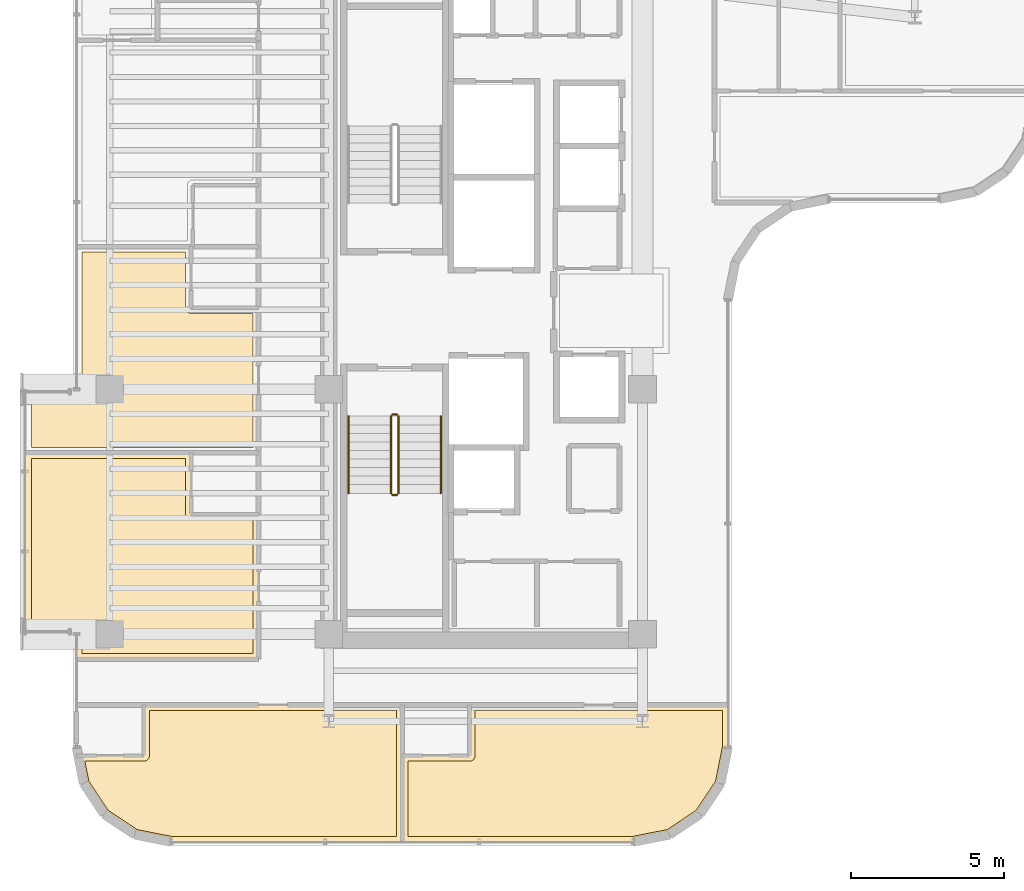
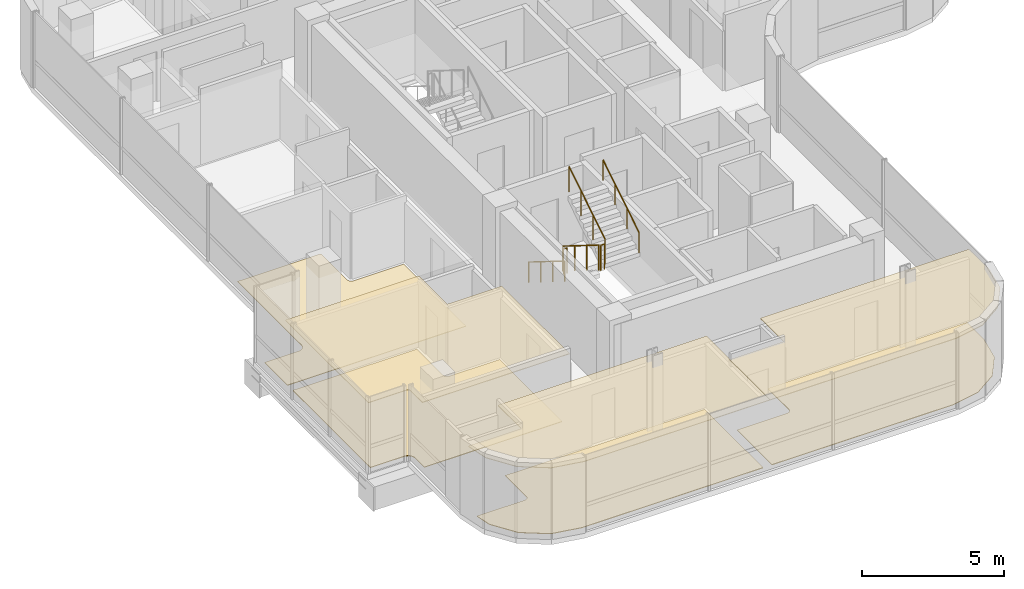
# One storey, part 22 of 24: 7 coverings, 6 railings.
"""IFC4 building model written with IfcOpenShell, lengths in metres."""

from ifc_helpers import new_model, si_unit, direction, frame, origin, origin_2d, place, context, subcontext, project, spatial, polyline, circle, outline, extrude, material, layer, layer_set, type_object, element, save


model = new_model("IFC4")

# Units and contexts
model_context = context("Model", 3, precision=1e-05, world=origin(), true_north=direction((0.0, 1.0)))
body_context = subcontext(model_context, "Body", "Model", "MODEL_VIEW")
ifc_project = project(units=[si_unit("LENGTHUNIT", "METRE"), si_unit("AREAUNIT", "SQUARE_METRE"), si_unit("VOLUMEUNIT", "CUBIC_METRE"), si_unit("PLANEANGLEUNIT", "RADIAN"), si_unit("MASSUNIT", "GRAM", prefix="KILO")], contexts=[model_context])

# Site, building, storey
site_placement = place(None, origin())
site = spatial("IfcSite", under=ifc_project, at=site_placement, CompositionType="ELEMENT")
building_placement = place(site_placement, origin())
building = spatial("IfcBuilding", under=site, at=building_placement, Name="Valdorenza Pilgrim Sanctuary Tower", CompositionType="ELEMENT")
storey_placement = place(building_placement, frame((0.0, 0.0, 230.0)))
storey = spatial("IfcBuildingStorey", under=building, at=storey_placement, Name="L59", CompositionType="ELEMENT", Elevation=230.0)

# Coverings
ifc_material_1 = material(Name="Micro-perforated acoustic mineral ceiling tile", Category="gypsum")
ifc_layer_1 = layer(ifc_material_1, 0.02490234375, Name="Micro-perforated acoustic mineral ceiling tile")
ifc_layer_set_1 = layer_set([ifc_layer_1], Name="Micro-perforated acoustic mineral ceiling tile")
covering_type_1 = type_object("IfcCoveringType", Name="COV-CLG-ACU", PredefinedType="CEILING", material=ifc_layer_set_1)
covering_1_placement = place(storey_placement, frame((0.0, 0.0, 2.9599609375)))
element("IfcCovering", 1, at=covering_1_placement, inside=storey, type_object=covering_type_1, Name="L59 Sanctuary Guest Room L59-W1 Acoustic Ceiling", PredefinedType="CEILING", context=body_context, shape_type="SweptSolid", body=[
    extrude(outline(polyline([(-30.905029296875, -10.600341796875), (-30.905517578125, -10.5908203125), (-30.90673828125, -10.58154296875), (-30.9091796875, -10.572509765625), (-30.912109375, -10.563720703125), (-30.916259765625, -10.55517578125), (-30.9208984375, -10.547119140625), (-30.926513671875, -10.539794921875), (-30.932861328125, -10.53271484375), (-30.939697265625, -10.526611328125), (-30.947265625, -10.52099609375), (-30.955078125, -10.51611328125), (-30.963623046875, -10.51220703125), (-30.972412109375, -10.509033203125), (-30.9814453125, -10.5068359375), (-30.99072265625, -10.505615234375), (-31.00048828125, -10.5048828125), (-32.5400390625, -10.5048828125), (-32.54150390625, -10.5048828125), (-32.54296875, -10.504638671875), (-32.54443359375, -10.50439453125), (-32.545654296875, -10.50390625), (-32.547119140625, -10.503173828125), (-32.54833984375, -10.50244140625), (-32.549560546875, -10.501708984375), (-32.550537109375, -10.50048828125), (-32.551513671875, -10.49951171875), (-32.552490234375, -10.498291015625), (-32.55322265625, -10.4970703125), (-32.553955078125, -10.49560546875), (-32.554443359375, -10.494384765625), (-32.5546875, -10.492919921875), (-32.554931640625, -10.491455078125), (-32.554931640625, -10.489990234375), (-32.554931640625, -4.679931640625), (-32.554931640625, -4.678466796875), (-32.5546875, -4.677001953125), (-32.554443359375, -4.675537109375), (-32.553955078125, -4.67431640625), (-32.55322265625, -4.6728515625), (-32.552490234375, -4.671630859375), (-32.551513671875, -4.67041015625), (-32.550537109375, -4.66943359375), (-32.549560546875, -4.66845703125), (-32.54833984375, -4.66748046875), (-32.547119140625, -4.666748046875), (-32.545654296875, -4.666015625), (-32.54443359375, -4.66552734375), (-32.54296875, -4.665283203125), (-32.54150390625, -4.6650390625), (-32.5400390625, -4.6650390625), (-27.152099609375, -4.6650390625), (-27.150390625, -4.6650390625), (-27.149169921875, -4.665283203125), (-27.147705078125, -4.66552734375), (-27.146240234375, -4.666015625), (-27.14501953125, -4.666748046875), (-27.143798828125, -4.66748046875), (-27.142578125, -4.66845703125), (-27.141357421875, -4.66943359375), (-27.140380859375, -4.67041015625), (-27.139404296875, -4.671630859375), (-27.138916015625, -4.6728515625), (-27.13818359375, -4.67431640625), (-27.1376953125, -4.675537109375), (-27.13720703125, -4.677001953125), (-27.13720703125, -4.678466796875), (-27.136962890625, -4.679931640625), (-27.136962890625, -6.6669921875), (-24.949951171875, -6.6669921875), (-24.948486328125, -6.6669921875), (-24.947021484375, -6.667236328125), (-24.945556640625, -6.66748046875), (-24.9443359375, -6.668212890625), (-24.94287109375, -6.668701171875), (-24.941650390625, -6.66943359375), (-24.9404296875, -6.67041015625), (-24.939453125, -6.67138671875), (-24.9384765625, -6.672607421875), (-24.9375, -6.673583984375), (-24.936767578125, -6.6748046875), (-24.93603515625, -6.67626953125), (-24.935546875, -6.677490234375), (-24.935302734375, -6.67919921875), (-24.93505859375, -6.680419921875), (-24.93505859375, -6.681884765625), (-24.93505859375, -11.419921875), (-24.93505859375, -11.42138671875), (-24.935302734375, -11.4228515625), (-24.935546875, -11.42431640625), (-24.93603515625, -11.42578125), (-24.936767578125, -11.427001953125), (-24.9375, -11.42822265625), (-24.9384765625, -11.429443359375), (-24.939453125, -11.4306640625), (-24.9404296875, -11.431640625), (-24.941650390625, -11.4326171875), (-24.94287109375, -11.43310546875), (-24.9443359375, -11.433837890625), (-24.945556640625, -11.434326171875), (-24.947021484375, -11.434814453125), (-24.948486328125, -11.434814453125), (-24.949951171875, -11.43505859375), (-30.889892578125, -11.43505859375), (-30.8916015625, -11.434814453125), (-30.892822265625, -11.434814453125), (-30.894287109375, -11.434326171875), (-30.895751953125, -11.433837890625), (-30.897216796875, -11.43310546875), (-30.898193359375, -11.4326171875), (-30.8994140625, -11.431640625), (-30.900634765625, -11.4306640625), (-30.901611328125, -11.429443359375), (-30.902587890625, -11.42822265625), (-30.9033203125, -11.427001953125), (-30.90380859375, -11.42578125), (-30.904296875, -11.42431640625), (-30.90478515625, -11.4228515625), (-30.90478515625, -11.42138671875), (-30.905029296875, -11.419921875), (-30.905029296875, -10.600341796875)])), origin(), (0.0, 0.0, 1.0), 0.025146484375),
])
covering_2_placement = place(storey_placement, frame((0.0, 0.0, 2.9599609375)))
element("IfcCovering", 2, at=covering_2_placement, inside=storey, type_object=covering_type_1, Name="L59 South Sanctuary Guest Room L59-S1A Acoustic Ceiling", PredefinedType="CEILING", context=body_context, shape_type="SweptSolid", body=[
    extrude(outline(polyline([(-28.702880859375, -14.556884765625), (-28.702880859375, -12.919921875), (-28.702880859375, -12.91845703125), (-28.70263671875, -12.9169921875), (-28.702392578125, -12.91552734375), (-28.701904296875, -12.914306640625), (-28.701171875, -12.912841796875), (-28.700439453125, -12.91162109375), (-28.69970703125, -12.910400390625), (-28.698486328125, -12.909423828125), (-28.697509765625, -12.908447265625), (-28.6962890625, -12.907470703125), (-28.695068359375, -12.90673828125), (-28.693603515625, -12.906005859375), (-28.6923828125, -12.905517578125), (-28.69091796875, -12.9052734375), (-28.689453125, -12.905029296875), (-28.68798828125, -12.905029296875), (-20.25, -12.905029296875), (-20.24853515625, -12.905029296875), (-20.2470703125, -12.9052734375), (-20.24560546875, -12.905517578125), (-20.244384765625, -12.906005859375), (-20.242919921875, -12.90673828125), (-20.24169921875, -12.907470703125), (-20.240478515625, -12.908447265625), (-20.239501953125, -12.909423828125), (-20.23828125, -12.910400390625), (-20.237548828125, -12.91162109375), (-20.23681640625, -12.912841796875), (-20.236083984375, -12.914306640625), (-20.235595703125, -12.91552734375), (-20.2353515625, -12.9169921875), (-20.235107421875, -12.91845703125), (-20.235107421875, -12.919921875), (-20.235107421875, -17.389892578125), (-20.235107421875, -17.3916015625), (-20.2353515625, -17.392822265625), (-20.235595703125, -17.394287109375), (-20.236083984375, -17.395751953125), (-20.23681640625, -17.397216796875), (-20.237548828125, -17.398193359375), (-20.23828125, -17.3994140625), (-20.239501953125, -17.400634765625), (-20.240478515625, -17.401611328125), (-20.24169921875, -17.402587890625), (-20.242919921875, -17.4033203125), (-20.244384765625, -17.40380859375), (-20.24560546875, -17.404296875), (-20.2470703125, -17.40478515625), (-20.24853515625, -17.40478515625), (-20.25, -17.405029296875), (-27.789306640625, -17.405029296875), (-27.79052734375, -17.40478515625), (-27.7919921875, -17.40478515625), (-28.984619140625, -17.16748046875), (-28.986083984375, -17.1669921875), (-28.9873046875, -17.16650390625), (-28.98876953125, -17.166015625), (-28.989990234375, -17.165283203125), (-29.99169921875, -16.495849609375), (-29.992919921875, -16.4951171875), (-29.993896484375, -16.493896484375), (-29.9951171875, -16.492919921875), (-29.995849609375, -16.49169921875), (-30.665283203125, -15.489990234375), (-30.666015625, -15.48876953125), (-30.66650390625, -15.4873046875), (-30.6669921875, -15.486083984375), (-30.66748046875, -15.484619140625), (-30.848388671875, -14.574951171875), (-30.8486328125, -14.573486328125), (-30.8486328125, -14.572021484375), (-30.8486328125, -14.570556640625), (-30.848388671875, -14.569091796875), (-30.84814453125, -14.567626953125), (-30.84765625, -14.56640625), (-30.846923828125, -14.56494140625), (-30.84619140625, -14.563720703125), (-30.84521484375, -14.5625), (-30.84423828125, -14.561279296875), (-30.84326171875, -14.560302734375), (-30.842041015625, -14.5595703125), (-30.8408203125, -14.558837890625), (-30.839599609375, -14.55810546875), (-30.838134765625, -14.5576171875), (-30.836669921875, -14.557373046875), (-30.835205078125, -14.55712890625), (-30.833740234375, -14.556884765625), (-28.702880859375, -14.556884765625)])), origin(), (0.0, 0.0, 1.0), 0.025146484375),
])
covering_3_placement = place(storey_placement, frame((0.0, 0.0, 2.9599609375)))
element("IfcCovering", 3, at=covering_3_placement, inside=storey, type_object=covering_type_1, Name="L59 South Sanctuary Guest Room L59-S1B Acoustic Ceiling", PredefinedType="CEILING", context=body_context, shape_type="SweptSolid", body=[
    extrude(outline(polyline([(-18.06298828125, -14.556884765625), (-18.06298828125, -12.919921875), (-18.06298828125, -12.91845703125), (-18.062744140625, -12.9169921875), (-18.0625, -12.91552734375), (-18.06201171875, -12.914306640625), (-18.061279296875, -12.912841796875), (-18.060546875, -12.91162109375), (-18.0595703125, -12.910400390625), (-18.05859375, -12.909423828125), (-18.0576171875, -12.908447265625), (-18.056396484375, -12.907470703125), (-18.05517578125, -12.90673828125), (-18.0537109375, -12.906005859375), (-18.052490234375, -12.905517578125), (-18.05078125, -12.9052734375), (-18.049560546875, -12.905029296875), (-18.048095703125, -12.905029296875), (-9.610107421875, -12.905029296875), (-9.6083984375, -12.905029296875), (-9.607177734375, -12.9052734375), (-9.605712890625, -12.905517578125), (-9.604248046875, -12.906005859375), (-9.602783203125, -12.90673828125), (-9.601806640625, -12.907470703125), (-9.6005859375, -12.908447265625), (-9.599365234375, -12.909423828125), (-9.598388671875, -12.910400390625), (-9.597412109375, -12.91162109375), (-9.5966796875, -12.912841796875), (-9.59619140625, -12.914306640625), (-9.595703125, -12.91552734375), (-9.59521484375, -12.9169921875), (-9.59521484375, -12.91845703125), (-9.594970703125, -12.919921875), (-9.594970703125, -14.289306640625), (-9.59521484375, -14.29052734375), (-9.59521484375, -14.2919921875), (-9.83251953125, -15.484619140625), (-9.8330078125, -15.486083984375), (-9.83349609375, -15.4873046875), (-9.833984375, -15.48876953125), (-9.834716796875, -15.489990234375), (-10.504150390625, -16.49169921875), (-10.5048828125, -16.492919921875), (-10.506103515625, -16.493896484375), (-10.507080078125, -16.4951171875), (-10.50830078125, -16.495849609375), (-11.510009765625, -17.165283203125), (-11.51123046875, -17.166015625), (-11.5126953125, -17.16650390625), (-11.513916015625, -17.1669921875), (-11.515380859375, -17.16748046875), (-12.7080078125, -17.40478515625), (-12.70947265625, -17.40478515625), (-12.710693359375, -17.405029296875), (-20.248046875, -17.405029296875), (-20.24951171875, -17.40478515625), (-20.2509765625, -17.40478515625), (-20.25244140625, -17.404296875), (-20.253662109375, -17.40380859375), (-20.255126953125, -17.4033203125), (-20.25634765625, -17.402587890625), (-20.257568359375, -17.401611328125), (-20.258544921875, -17.400634765625), (-20.259521484375, -17.3994140625), (-20.260498046875, -17.398193359375), (-20.26123046875, -17.397216796875), (-20.261962890625, -17.395751953125), (-20.262451171875, -17.394287109375), (-20.2626953125, -17.392822265625), (-20.262939453125, -17.3916015625), (-20.262939453125, -17.389892578125), (-20.262939453125, -14.572021484375), (-20.262939453125, -14.570556640625), (-20.2626953125, -14.569091796875), (-20.262451171875, -14.567626953125), (-20.261962890625, -14.56640625), (-20.26123046875, -14.56494140625), (-20.260498046875, -14.563720703125), (-20.259521484375, -14.5625), (-20.258544921875, -14.561279296875), (-20.257568359375, -14.560302734375), (-20.25634765625, -14.5595703125), (-20.255126953125, -14.558837890625), (-20.253662109375, -14.55810546875), (-20.25244140625, -14.5576171875), (-20.2509765625, -14.557373046875), (-20.24951171875, -14.55712890625), (-20.248046875, -14.556884765625), (-18.06298828125, -14.556884765625)])), origin(), (0.0, 0.0, 1.0), 0.025146484375),
])
ifc_material_2 = material(Name="Engineered European oak timber flooring", Category="wood")
ifc_layer_2 = layer(ifc_material_2, 0.02197265625, Name="Engineered European oak timber flooring")
ifc_layer_set_2 = layer_set([ifc_layer_2], Name="Engineered European oak timber flooring")
covering_type_2 = type_object("IfcCoveringType", Name="COV-FLR-OAK", PredefinedType="FLOORING", material=ifc_layer_set_2)
covering_4_placement = place(storey_placement, origin())
element("IfcCovering", 4, at=covering_4_placement, inside=storey, type_object=covering_type_2, Name="L59 Sanctuary Guest Room L59-W1 Flooring", PredefinedType="FLOORING", context=body_context, shape_type="SweptSolid", body=[
    extrude(outline(polyline([(-30.7099609375, -10.60009765625), (-30.710205078125, -10.59130859375), (-30.710693359375, -10.580322265625), (-30.71240234375, -10.562744140625), (-30.714111328125, -10.552001953125), (-30.717529296875, -10.534912109375), (-30.72021484375, -10.5244140625), (-30.725341796875, -10.50732421875), (-30.72900390625, -10.497314453125), (-30.735595703125, -10.48095703125), (-30.740234375, -10.47119140625), (-30.74853515625, -10.45556640625), (-30.754150390625, -10.4462890625), (-30.763916015625, -10.431640625), (-30.7705078125, -10.423095703125), (-30.781494140625, -10.4091796875), (-30.788818359375, -10.4013671875), (-30.80126953125, -10.388916015625), (-30.809326171875, -10.381591796875), (-30.822998046875, -10.370361328125), (-30.831787109375, -10.364013671875), (-30.84619140625, -10.35400390625), (-30.855712890625, -10.3486328125), (-30.87109375, -10.34033203125), (-30.880859375, -10.335693359375), (-30.897216796875, -10.328857421875), (-30.907470703125, -10.3251953125), (-30.92431640625, -10.320068359375), (-30.934814453125, -10.3173828125), (-30.9521484375, -10.314208984375), (-30.962890625, -10.3125), (-30.98046875, -10.310791015625), (-30.9912109375, -10.310302734375), (-31.0, -10.31005859375), (-32.360107421875, -10.31005859375), (-32.360107421875, -4.860107421875), (-27.33203125, -4.860107421875), (-27.33203125, -6.679931640625), (-27.331787109375, -6.688720703125), (-27.331787109375, -6.68896484375), (-27.330078125, -6.70654296875), (-27.330078125, -6.706787109375), (-27.32666015625, -6.72412109375), (-27.326416015625, -6.724365234375), (-27.3212890625, -6.7412109375), (-27.3212890625, -6.741455078125), (-27.314697265625, -6.7578125), (-27.314453125, -6.7578125), (-27.30615234375, -6.7734375), (-27.30615234375, -6.773681640625), (-27.296142578125, -6.788330078125), (-27.296142578125, -6.78857421875), (-27.284912109375, -6.802001953125), (-27.284912109375, -6.80224609375), (-27.272216796875, -6.814697265625), (-27.272216796875, -6.81494140625), (-27.258544921875, -6.826171875), (-27.25830078125, -6.826171875), (-27.24365234375, -6.836181640625), (-27.243408203125, -6.836181640625), (-27.227783203125, -6.844482421875), (-27.227783203125, -6.844482421875), (-27.21142578125, -6.851318359375), (-27.211181640625, -6.851318359375), (-27.1943359375, -6.8564453125), (-27.194091796875, -6.856689453125), (-27.1767578125, -6.860107421875), (-27.176513671875, -6.860107421875), (-27.158935546875, -6.86181640625), (-27.15869140625, -6.86181640625), (-27.14990234375, -6.862060546875), (-25.1298828125, -6.862060546875), (-25.1298828125, -11.239990234375), (-30.7099609375, -11.239990234375), (-30.7099609375, -10.60009765625)])), origin(), (0.0, 0.0, 1.0), 0.02490234375),
])
covering_5_placement = place(storey_placement, origin())
element("IfcCovering", 5, at=covering_5_placement, inside=storey, type_object=covering_type_2, Name="L59 Sanctuary Guest Room L59-W2 Flooring", PredefinedType="FLOORING", context=body_context, shape_type="SweptSolid", body=[
    extrude(outline(polyline([(-32.360107421875, -2.889892578125), (-31.0, -2.889892578125), (-30.9912109375, -2.889892578125), (-30.98046875, -2.889404296875), (-30.962890625, -2.887451171875), (-30.9521484375, -2.885986328125), (-30.934814453125, -2.882568359375), (-30.92431640625, -2.8798828125), (-30.907470703125, -2.874755859375), (-30.897216796875, -2.87109375), (-30.880859375, -2.8642578125), (-30.87109375, -2.859619140625), (-30.855712890625, -2.851318359375), (-30.84619140625, -2.845947265625), (-30.831787109375, -2.8359375), (-30.822998046875, -2.82958984375), (-30.809326171875, -2.818359375), (-30.80126953125, -2.811279296875), (-30.788818359375, -2.798583984375), (-30.781494140625, -2.790771484375), (-30.7705078125, -2.777099609375), (-30.763916015625, -2.768310546875), (-30.754150390625, -2.753662109375), (-30.74853515625, -2.744384765625), (-30.740234375, -2.728759765625), (-30.735595703125, -2.718994140625), (-30.72900390625, -2.70263671875), (-30.725341796875, -2.692626953125), (-30.72021484375, -2.67578125), (-30.717529296875, -2.665283203125), (-30.714111328125, -2.64794921875), (-30.71240234375, -2.63720703125), (-30.710693359375, -2.61962890625), (-30.710205078125, -2.60888671875), (-30.7099609375, -2.60009765625), (-30.7099609375, 1.8798828125), (-27.33203125, 1.8798828125), (-27.33203125, 0.06005859375), (-27.331787109375, 0.05126953125), (-27.331787109375, 0.051025390625), (-27.330078125, 0.033447265625), (-27.330078125, 0.033203125), (-27.32666015625, 0.015869140625), (-27.326416015625, 0.015625), (-27.3212890625, -0.001220703125), (-27.3212890625, -0.00146484375), (-27.314697265625, -0.017578125), (-27.314453125, -0.017822265625), (-27.30615234375, -0.033447265625), (-27.30615234375, -0.03369140625), (-27.296142578125, -0.04833984375), (-27.296142578125, -0.048583984375), (-27.284912109375, -0.06201171875), (-27.284912109375, -0.062255859375), (-27.272216796875, -0.07470703125), (-27.272216796875, -0.074951171875), (-27.258544921875, -0.086181640625), (-27.25830078125, -0.086181640625), (-27.24365234375, -0.09619140625), (-27.243408203125, -0.09619140625), (-27.227783203125, -0.1044921875), (-27.227783203125, -0.1044921875), (-27.21142578125, -0.111328125), (-27.211181640625, -0.111328125), (-27.1943359375, -0.116455078125), (-27.194091796875, -0.11669921875), (-27.1767578125, -0.1201171875), (-27.176513671875, -0.1201171875), (-27.158935546875, -0.121826171875), (-27.15869140625, -0.121826171875), (-27.14990234375, -0.1220703125), (-25.1298828125, -0.1220703125), (-25.1298828125, -4.498046875), (-27.14990234375, -4.498046875), (-27.15087890625, -4.498046875), (-27.151611328125, -4.498046875), (-27.152099609375, -4.498046875), (-32.360107421875, -4.498046875), (-32.360107421875, -2.889892578125)])), origin(), (0.0, 0.0, 1.0), 0.02490234375),
])
covering_6_placement = place(storey_placement, origin())
element("IfcCovering", 6, at=covering_6_placement, inside=storey, type_object=covering_type_2, Name="L59 South Sanctuary Guest Room L59-S1A Flooring", PredefinedType="FLOORING", context=body_context, shape_type="SweptSolid", body=[
    extrude(outline(polyline([(-27.771484375, -17.2099609375), (-28.911376953125, -16.983154296875), (-29.853515625, -16.353515625), (-30.483154296875, -15.411376953125), (-30.614501953125, -14.751953125), (-28.68994140625, -14.751953125), (-28.68115234375, -14.751708984375), (-28.680908203125, -14.751708984375), (-28.663330078125, -14.75), (-28.6630859375, -14.75), (-28.64599609375, -14.74658203125), (-28.645751953125, -14.74658203125), (-28.62890625, -14.741455078125), (-28.628662109375, -14.7412109375), (-28.6123046875, -14.734619140625), (-28.612060546875, -14.734619140625), (-28.596435546875, -14.726318359375), (-28.596435546875, -14.72607421875), (-28.581787109375, -14.71630859375), (-28.58154296875, -14.716064453125), (-28.56787109375, -14.704833984375), (-28.567626953125, -14.704833984375), (-28.55517578125, -14.6923828125), (-28.55517578125, -14.692138671875), (-28.5439453125, -14.678466796875), (-28.543701171875, -14.67822265625), (-28.533935546875, -14.66357421875), (-28.53369140625, -14.66357421875), (-28.525390625, -14.64794921875), (-28.525390625, -14.647705078125), (-28.518798828125, -14.63134765625), (-28.5185546875, -14.631103515625), (-28.513427734375, -14.6142578125), (-28.513427734375, -14.614013671875), (-28.510009765625, -14.5966796875), (-28.510009765625, -14.5966796875), (-28.50830078125, -14.5791015625), (-28.50830078125, -14.578857421875), (-28.508056640625, -14.570068359375), (-28.508056640625, -13.10009765625), (-20.429931640625, -13.10009765625), (-20.429931640625, -17.2099609375), (-27.771484375, -17.2099609375)])), origin(), (0.0, 0.0, 1.0), 0.02490234375),
])
covering_7_placement = place(storey_placement, origin())
element("IfcCovering", 7, at=covering_7_placement, inside=storey, type_object=covering_type_2, Name="L59 South Sanctuary Guest Room L59-S1B Flooring", PredefinedType="FLOORING", context=body_context, shape_type="SweptSolid", body=[
    extrude(outline(polyline([(-10.016845703125, -15.411376953125), (-10.646484375, -16.353515625), (-11.588623046875, -16.983154296875), (-12.728515625, -17.2099609375), (-20.068115234375, -17.2099609375), (-20.068115234375, -14.751953125), (-18.050048828125, -14.751953125), (-18.041259765625, -14.751708984375), (-18.041015625, -14.751708984375), (-18.0234375, -14.75), (-18.023193359375, -14.75), (-18.005859375, -14.74658203125), (-18.005615234375, -14.74658203125), (-17.98876953125, -14.741455078125), (-17.988525390625, -14.7412109375), (-17.972412109375, -14.734619140625), (-17.97216796875, -14.734619140625), (-17.95654296875, -14.726318359375), (-17.956298828125, -14.72607421875), (-17.941650390625, -14.71630859375), (-17.94140625, -14.716064453125), (-17.927978515625, -14.704833984375), (-17.927734375, -14.704833984375), (-17.915283203125, -14.6923828125), (-17.9150390625, -14.692138671875), (-17.90380859375, -14.678466796875), (-17.90380859375, -14.67822265625), (-17.893798828125, -14.66357421875), (-17.893798828125, -14.66357421875), (-17.885498046875, -14.64794921875), (-17.885498046875, -14.647705078125), (-17.878662109375, -14.63134765625), (-17.878662109375, -14.631103515625), (-17.87353515625, -14.6142578125), (-17.873291015625, -14.614013671875), (-17.8701171875, -14.5966796875), (-17.8701171875, -14.5966796875), (-17.8681640625, -14.5791015625), (-17.8681640625, -14.578857421875), (-17.867919921875, -14.570068359375), (-17.867919921875, -13.10009765625), (-9.7900390625, -13.10009765625), (-9.7900390625, -14.271484375), (-10.016845703125, -15.411376953125)])), origin(), (0.0, 0.0, 1.0), 0.02490234375),
])

# Railings
ifc_material_3 = material(Name="Stainless steel Grade 316", Category="steel")
railing_type_1 = type_object("IfcRailingType", Name="RLG-GRD-1120", PredefinedType="GUARDRAIL", material=ifc_material_3)
railing_1_placement = place(storey_placement, frame((-20.6201171875, -3.47998046875, 0.175048828125)))
element("IfcRailing", 8, at=railing_1_placement, inside=storey, type_object=railing_type_1, Name="L59 ST-A2 stair guard 1", PredefinedType="GUARDRAIL", context=body_context, shape_type="SweptSolid", body=[
    extrude(circle(Radius=0.02392578125, at=origin_2d()), frame((0.0, 0.0, 1.076171875), z_axis=(0.0, -0.848007534815, 0.529984170421), x_axis=(1.0, 0.0, 0.0)), (0.0, 0.0, 1.0), 2.9716796875),
    extrude(circle(Radius=0.02099609375, at=origin_2d()), origin(), (0.0, 0.0, 1.0), 1.052001953125),
    extrude(circle(Radius=0.02099609375, at=origin_2d()), frame((0.0, -0.840087890625, 0.52490234375)), (0.0, 0.0, 1.0), 1.052001953125),
    extrude(circle(Radius=0.02099609375, at=origin_2d()), frame((0.0, -1.679931640625, 1.050048828125)), (0.0, 0.0, 1.0), 1.052001953125),
    extrude(circle(Radius=0.02099609375, at=origin_2d()), frame((0.0, -2.52001953125, 1.574951171875)), (0.0, 0.0, 1.0), 1.052001953125),
])
railing_2_placement = place(storey_placement, frame((-20.570068359375, -6.050048828125, 1.75)))
element("IfcRailing", 9, at=railing_2_placement, inside=storey, type_object=railing_type_1, Name="L59 ST-A2 stair guard 2", PredefinedType="GUARDRAIL", context=body_context, shape_type="SweptSolid", body=[
    extrude(circle(Radius=0.02392578125, at=origin_2d()), frame((0.0, 0.0, 1.076171875), z_axis=(1.0, 0.0, 0.0), x_axis=(0.0, 1.0, 0.0)), (0.0, 0.0, 1.0), 0.150146484375),
    extrude(circle(Radius=0.02099609375, at=origin_2d()), origin(), (0.0, 0.0, 1.0), 1.052001953125),
    extrude(circle(Radius=0.02099609375, at=origin_2d()), frame((0.150146484375, 0.0, 0.0)), (0.0, 0.0, 1.0), 1.052001953125),
])
railing_3_placement = place(storey_placement, frame((-20.3701171875, -6.0, 1.925048828125)))
element("IfcRailing", 10, at=railing_3_placement, inside=storey, type_object=railing_type_1, Name="L59 ST-A2 stair guard 3", PredefinedType="GUARDRAIL", context=body_context, shape_type="SweptSolid", body=[
    extrude(circle(Radius=0.02392578125, at=origin_2d()), frame((0.0, 0.0, 1.076171875), z_axis=(0.0, 0.848007534815, 0.529984170421), x_axis=(-1.0, 0.0, 0.0)), (0.0, 0.0, 1.0), 2.9716796875),
    extrude(circle(Radius=0.02099609375, at=origin_2d()), origin(), (0.0, 0.0, 1.0), 1.052001953125),
    extrude(circle(Radius=0.02099609375, at=origin_2d()), frame((0.0, 0.840087890625, 0.52490234375)), (0.0, 0.0, 1.0), 1.052001953125),
    extrude(circle(Radius=0.02099609375, at=origin_2d()), frame((0.0, 1.679931640625, 1.050048828125)), (0.0, 0.0, 1.0), 1.052001953125),
    extrude(circle(Radius=0.02099609375, at=origin_2d()), frame((0.0, 2.52001953125, 1.574951171875)), (0.0, 0.0, 1.0), 1.052001953125),
])
railing_4_placement = place(storey_placement, frame((-20.570068359375, -3.429931640625, 0.0)))
element("IfcRailing", 11, at=railing_4_placement, inside=storey, type_object=railing_type_1, Name="L59 ST-A2 stair guard 4", PredefinedType="GUARDRAIL", context=body_context, shape_type="SweptSolid", body=[
    extrude(circle(Radius=0.02392578125, at=origin_2d()), frame((0.0, 0.0, 1.076171875), z_axis=(1.0, 0.0, 0.0), x_axis=(0.0, 1.0, 0.0)), (0.0, 0.0, 1.0), 0.150146484375),
    extrude(circle(Radius=0.02099609375, at=origin_2d()), origin(), (0.0, 0.0, 1.0), 1.052001953125),
    extrude(circle(Radius=0.02099609375, at=origin_2d()), frame((0.150146484375, 0.0, 0.0)), (0.0, 0.0, 1.0), 1.052001953125),
])
ifc_material_4 = material(Name="Brushed stainless steel Grade 316", Category="steel")
railing_type_2 = type_object("IfcRailingType", Name="RLG-HND-920", PredefinedType="HANDRAIL", material=ifc_material_4)
railing_5_placement = place(storey_placement, frame((-22.0, -3.47998046875, 0.175048828125)))
element("IfcRailing", 12, at=railing_5_placement, inside=storey, type_object=railing_type_2, Name="L59 ST-A2 stair handrail 1", PredefinedType="HANDRAIL", context=body_context, shape_type="SweptSolid", body=[
    extrude(circle(Radius=0.02392578125, at=origin_2d()), frame((0.0, 0.0, 0.8759765625), z_axis=(0.0, -0.848007534815, 0.529984170421), x_axis=(1.0, 0.0, 0.0)), (0.0, 0.0, 1.0), 2.9716796875),
    extrude(circle(Radius=0.02099609375, at=origin_2d()), origin(), (0.0, 0.0, 1.0), 0.851806640625),
    extrude(circle(Radius=0.02099609375, at=origin_2d()), frame((0.0, -0.840087890625, 0.52490234375)), (0.0, 0.0, 1.0), 0.851806640625),
    extrude(circle(Radius=0.02099609375, at=origin_2d()), frame((0.0, -1.679931640625, 1.050048828125)), (0.0, 0.0, 1.0), 0.851806640625),
    extrude(circle(Radius=0.02099609375, at=origin_2d()), frame((0.0, -2.52001953125, 1.574951171875)), (0.0, 0.0, 1.0), 0.851806640625),
])
railing_6_placement = place(storey_placement, frame((-18.989990234375, -6.0, 1.925048828125)))
element("IfcRailing", 13, at=railing_6_placement, inside=storey, type_object=railing_type_2, Name="L59 ST-A2 stair handrail 2", PredefinedType="HANDRAIL", context=body_context, shape_type="SweptSolid", body=[
    extrude(circle(Radius=0.02392578125, at=origin_2d()), frame((0.0, 0.0, 0.8759765625), z_axis=(0.0, 0.848007534815, 0.529984170421), x_axis=(-1.0, 0.0, 0.0)), (0.0, 0.0, 1.0), 2.9716796875),
    extrude(circle(Radius=0.02099609375, at=origin_2d()), origin(), (0.0, 0.0, 1.0), 0.851806640625),
    extrude(circle(Radius=0.02099609375, at=origin_2d()), frame((0.0, 0.840087890625, 0.52490234375)), (0.0, 0.0, 1.0), 0.851806640625),
    extrude(circle(Radius=0.02099609375, at=origin_2d()), frame((0.0, 1.679931640625, 1.050048828125)), (0.0, 0.0, 1.0), 0.851806640625),
    extrude(circle(Radius=0.02099609375, at=origin_2d()), frame((0.0, 2.52001953125, 1.574951171875)), (0.0, 0.0, 1.0), 0.851806640625),
])

save(model, "model.ifc")
